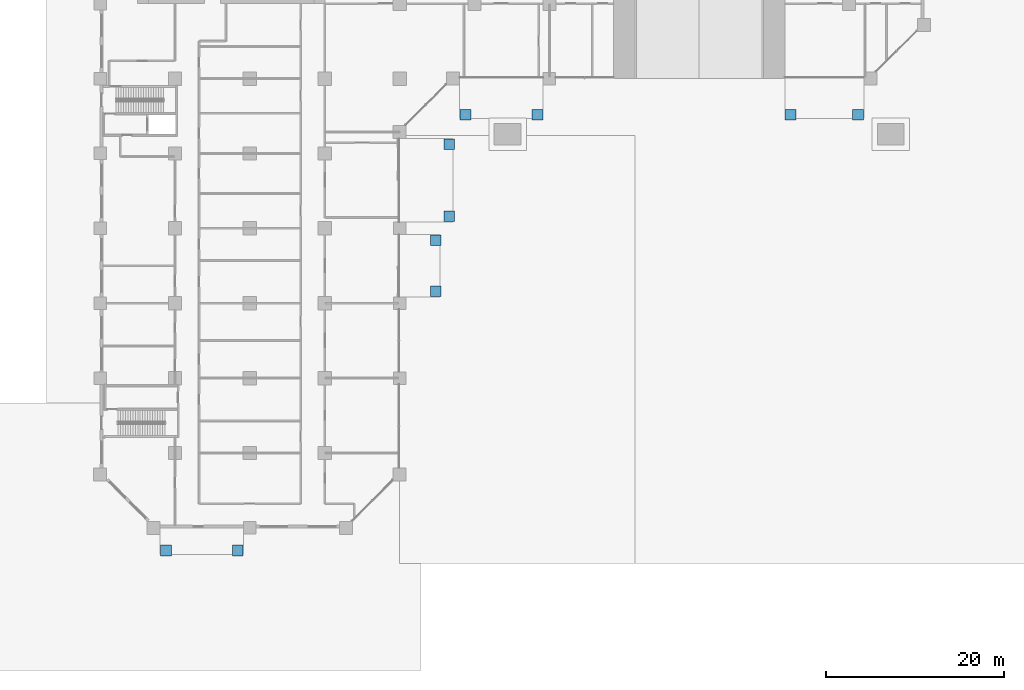
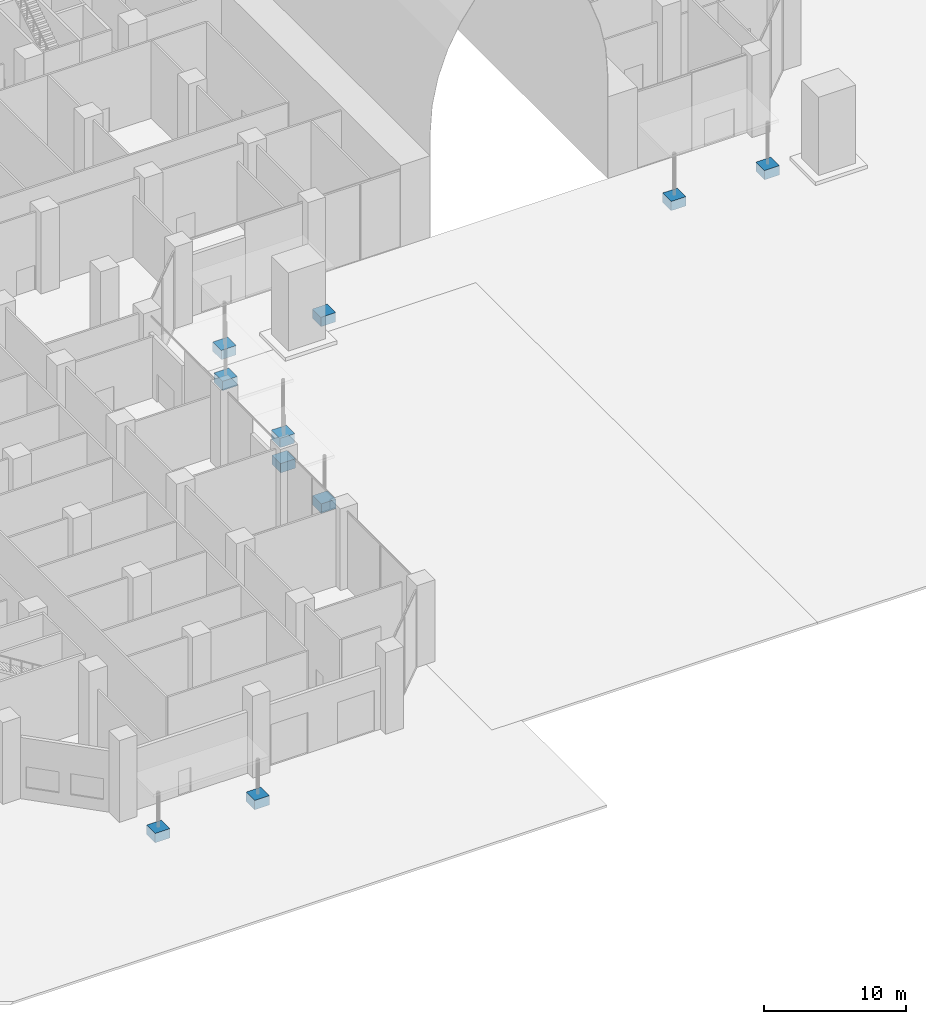
# One storey, part 1 of 32: 10 footings.
"""IFC4 building model written with IfcOpenShell, lengths in metres."""

from ifc_helpers import new_model, si_unit, direction, frame, origin, origin_2d, place, context, subcontext, project, spatial, rectangle, extrude, material, type_object, element, save


model = new_model("IFC4")

# Units and contexts
model_context = context("Model", 3, precision=1e-05, world=origin(), true_north=direction((0.0, 1.0)))
body_context = subcontext(model_context, "Body", "Model", "MODEL_VIEW")
ifc_project = project(units=[si_unit("LENGTHUNIT", "METRE"), si_unit("AREAUNIT", "SQUARE_METRE"), si_unit("VOLUMEUNIT", "CUBIC_METRE"), si_unit("PLANEANGLEUNIT", "RADIAN"), si_unit("MASSUNIT", "GRAM", prefix="KILO")], contexts=[model_context])

# Site, building, storey
site_placement = place(None, origin())
site = spatial("IfcSite", under=ifc_project, at=site_placement, CompositionType="ELEMENT")
building_placement = place(site_placement, origin())
building = spatial("IfcBuilding", under=site, at=building_placement, Name="Kawkab Arch Medical Tower", CompositionType="ELEMENT")
storey_placement = place(building_placement, origin())
storey = spatial("IfcBuildingStorey", under=building, at=storey_placement, Name="L01", CompositionType="ELEMENT", Elevation=0.0)

# Footings
ifc_material = material(Name="Concrete C32/40", Category="concrete")
footing_type = type_object("IfcFootingType", Name="Canopy pad footing 1200 x 1200", PredefinedType="PAD_FOOTING", material=ifc_material)
for number, where, z_axis, x_axis, name in (
    (1, (40.97509765625, -37.64990234375, -0.7998046875), (0.0, 0.0, 1.0), (1.0, 0.0, 0.0), "Canopy, main entrance, diagnostic block pad footing 1"),
    (2, (49.050048828125, -37.64990234375, -0.7998046875), (0.0, 0.0, 1.0), (1.0, 0.0, 0.0), "Canopy, main entrance, diagnostic block pad footing 2"),
    (3, (77.449951171875, -37.64990234375, -0.7998046875), (0.0, 0.0, 1.0), (1.0, 0.0, 0.0), "Canopy, main entrance, pavilion pad footing 1"),
    (4, (85.02490234375, -37.64990234375, -0.7998046875), (0.0, 0.0, 1.0), (1.0, 0.0, 0.0), "Canopy, main entrance, pavilion pad footing 2"),
    (5, (39.14990234375, -49.050048828125, -0.7998046875), (0.0, 0.0, 1.0), (1.0, 0.0, 0.0), "Canopy, emergency department ambulance entrance pad footing 1"),
    (6, (39.14990234375, -40.97509765625, -0.7998046875), (0.0, 0.0, 1.0), (1.0, 0.0, 0.0), "Canopy, emergency department ambulance entrance pad footing 2"),
    (7, (37.64990234375, -57.449951171875, -0.7998046875), (0.0, 0.0, 1.0), (1.0, 0.0, 0.0), "Canopy, emergency department walk-in entrance pad footing 1"),
    (8, (37.64990234375, -51.75, -0.7998046875), (0.0, 0.0, 1.0), (1.0, 0.0, 0.0), "Canopy, emergency department walk-in entrance pad footing 2"),
    (9, (7.375, -86.550048828125, -0.7998046875), (0.0, 0.0, 1.0), (1.0, 0.0, 0.0), "Canopy, staff entrance pad footing 1"),
    (10, (15.449951171875, -86.550048828125, -0.7998046875), (0.0, 0.0, 1.0), (1.0, 0.0, 0.0), "Canopy, staff entrance pad footing 2"),
):
    element("IfcFooting", number, at=place(storey_placement, frame(where, z_axis=z_axis, x_axis=x_axis)), inside=storey, type_object=footing_type, Name=name, PredefinedType="PAD_FOOTING", context=body_context, shape_type="SweptSolid", body=[
        extrude(rectangle(XDim=1.199951171875, YDim=1.199951171875, at=origin_2d()), origin(), (0.0, 0.0, 1.0), 0.800048828125),
    ])

save(model, "model.ifc")
